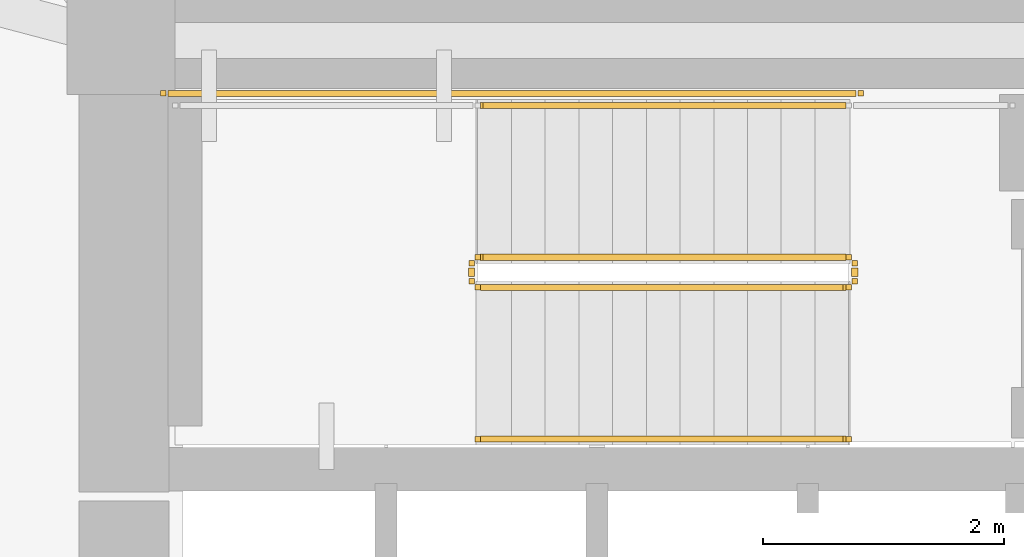
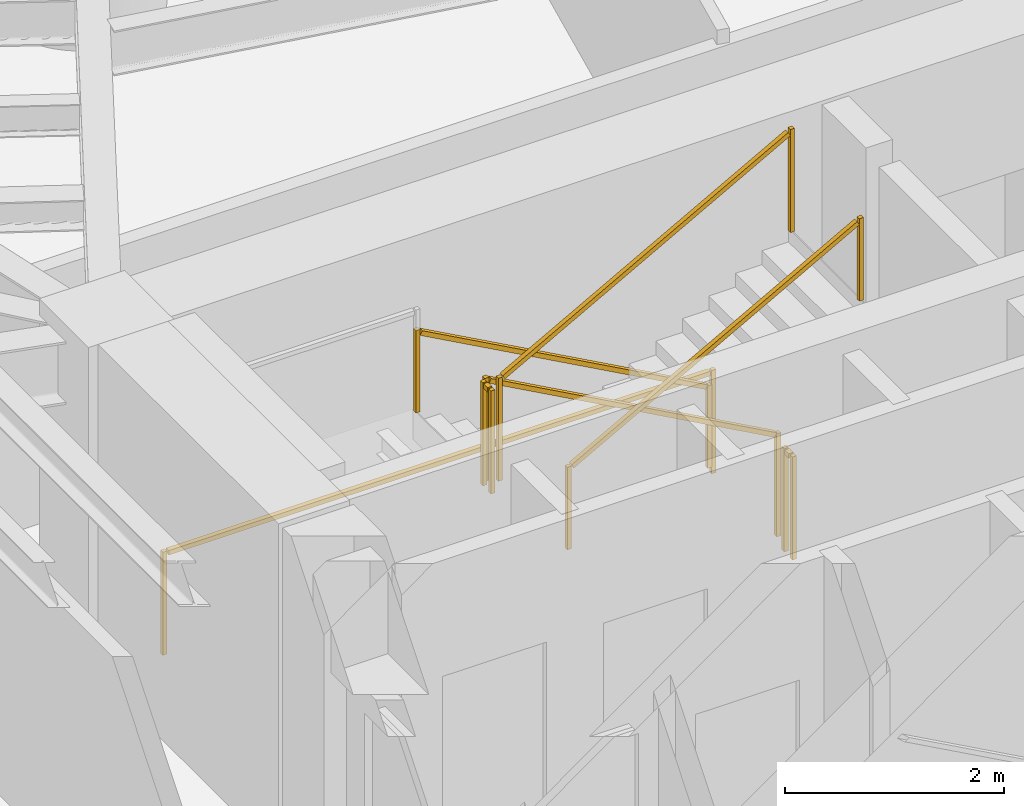
# One storey, part 12 of 13: 7 railings.
"""IFC4 building model written with IfcOpenShell, lengths in metres."""

from ifc_helpers import new_model, si_unit, direction, frame, origin, origin_2d, place, context, subcontext, project, spatial, rectangle, extrude, material, type_object, element, save


model = new_model("IFC4")

# Units and contexts
model_context = context("Model", 3, precision=1e-05, world=origin(), true_north=direction((0.0, 1.0)))
body_context = subcontext(model_context, "Body", "Model", "MODEL_VIEW")
ifc_project = project(units=[si_unit("LENGTHUNIT", "METRE"), si_unit("AREAUNIT", "SQUARE_METRE"), si_unit("VOLUMEUNIT", "CUBIC_METRE"), si_unit("PLANEANGLEUNIT", "RADIAN"), si_unit("MASSUNIT", "GRAM", prefix="KILO")], contexts=[model_context])

# Site, building, storey
site_placement = place(None, origin())
site = spatial("IfcSite", under=ifc_project, at=site_placement, CompositionType="ELEMENT")
building_placement = place(site_placement, origin())
building = spatial("IfcBuilding", under=site, at=building_placement, Name="Yunling Apex Tower", CompositionType="ELEMENT")
storey_placement = place(building_placement, frame((0.0, 0.0, 20.10009765625)))
storey = spatial("IfcBuildingStorey", under=building, at=storey_placement, Name="L06", CompositionType="ELEMENT", Elevation=20.10009765625)

# Railings
ifc_material_1 = material(Name="Steel Q355B", Category="steel")
railing_type_1 = type_object("IfcRailingType", Name="RL-GRD-1150", PredefinedType="GUARDRAIL", material=ifc_material_1)
railing_1_placement = place(storey_placement, frame((-0.010009765625, 3.699951171875, 0.154052734375)))
element("IfcRailing", 1, at=railing_1_placement, inside=storey, type_object=railing_type_1, Name="L06 ST-1 stair guard 1", PredefinedType="GUARDRAIL", context=body_context, shape_type="SweptSolid", body=[
    extrude(rectangle(XDim=0.0439453125, YDim=0.0439453125, at=origin_2d()), origin(), (0.0, 0.0, 1.0), 1.14990234375),
    extrude(rectangle(XDim=0.0439453125, YDim=0.0439453125, at=origin_2d()), frame((-3.080078125, 0.0, 1.69580078125)), (0.0, 0.0, 1.0), 1.14990234375),
    extrude(rectangle(XDim=0.050048828125, YDim=0.050048828125, at=origin_2d()), frame((-0.03369140625, 0.0, 1.143310546875), z_axis=(-0.876004717809, 0.0, 0.482302534076), x_axis=(0.0, -1.0, 0.0)), (0.0, 0.0, 1.0), 3.439453125),
])
railing_2_placement = place(storey_placement, frame((-3.139892578125, 3.64990234375, 1.849853515625)))
element("IfcRailing", 2, at=railing_2_placement, inside=storey, type_object=railing_type_1, Name="L06 ST-1 stair guard 2", PredefinedType="GUARDRAIL", context=body_context, shape_type="SweptSolid", body=[
    extrude(rectangle(XDim=0.0439453125, YDim=0.0439453125, at=origin_2d()), origin(), (0.0, 0.0, 1.0), 1.14990234375),
    extrude(rectangle(XDim=0.0439453125, YDim=0.0439453125, at=origin_2d()), frame((0.0, -0.14990234375, 0.0)), (0.0, 0.0, 1.0), 1.14990234375),
    extrude(rectangle(XDim=0.050048828125, YDim=0.050048828125, at=origin_2d()), frame((0.0, -0.038330078125, 1.125), z_axis=(0.0, -1.0, 0.0), x_axis=(1.0, 0.0, 0.0)), (0.0, 0.0, 1.0), 0.0732421875),
])
railing_3_placement = place(storey_placement, frame((-3.090087890625, 3.449951171875, 2.004150390625)))
element("IfcRailing", 3, at=railing_3_placement, inside=storey, type_object=railing_type_1, Name="L06 ST-1 stair guard 4", PredefinedType="GUARDRAIL", context=body_context, shape_type="SweptSolid", body=[
    extrude(rectangle(XDim=0.0439453125, YDim=0.0439453125, at=origin_2d()), origin(), (0.0, 0.0, 1.0), 1.14990234375),
    extrude(rectangle(XDim=0.0439453125, YDim=0.0439453125, at=origin_2d()), frame((3.080078125, 0.0, 1.69580078125)), (0.0, 0.0, 1.0), 1.14990234375),
    extrude(rectangle(XDim=0.050048828125, YDim=0.050048828125, at=origin_2d()), frame((0.03369140625, 0.0, 1.143310546875), z_axis=(0.876004717809, 0.0, 0.482302534076), x_axis=(0.0, 1.0, 0.0)), (0.0, 0.0, 1.0), 3.439453125),
])
railing_4_placement = place(storey_placement, frame((0.0400390625, 3.64990234375, 0.0)))
element("IfcRailing", 4, at=railing_4_placement, inside=storey, type_object=railing_type_1, Name="L06 ST-1 stair guard 5", PredefinedType="GUARDRAIL", context=body_context, shape_type="SweptSolid", body=[
    extrude(rectangle(XDim=0.0439453125, YDim=0.0439453125, at=origin_2d()), origin(), (0.0, 0.0, 1.0), 1.14990234375),
    extrude(rectangle(XDim=0.0439453125, YDim=0.0439453125, at=origin_2d()), frame((0.0, -0.14990234375, 0.0)), (0.0, 0.0, 1.0), 1.14990234375),
    extrude(rectangle(XDim=0.050048828125, YDim=0.050048828125, at=origin_2d()), frame((0.0, -0.038330078125, 1.125), z_axis=(0.0, -1.0, 0.0), x_axis=(1.0, 0.0, 0.0)), (0.0, 0.0, 1.0), 0.0732421875),
])
railing_5_placement = place(storey_placement, frame((0.090087890625, 5.06005859375, 0.0)))
element("IfcRailing", 5, at=railing_5_placement, inside=storey, type_object=railing_type_1, Name="L06 ST-1 stair guard 7", PredefinedType="GUARDRAIL", context=body_context, shape_type="SweptSolid", body=[
    extrude(rectangle(XDim=0.0439453125, YDim=0.0439453125, at=origin_2d()), origin(), (0.0, 0.0, 1.0), 1.14990234375),
    extrude(rectangle(XDim=0.0439453125, YDim=0.0439453125, at=origin_2d()), frame((-5.7900390625, 0.0, 0.0)), (0.0, 0.0, 1.0), 1.14990234375),
    extrude(rectangle(XDim=0.050048828125, YDim=0.050048828125, at=origin_2d()), frame((-0.038330078125, 0.0, 1.125), z_axis=(-1.0, 0.0, 0.0), x_axis=(0.0, -1.0, 0.0)), (0.0, 0.0, 1.0), 5.71337890625),
])
ifc_material_2 = material(Name="Silver anodised aluminium", Category="aluminium")
railing_type_2 = type_object("IfcRailingType", Name="RL-HND-900", PredefinedType="HANDRAIL", material=ifc_material_2)
railing_6_placement = place(storey_placement, frame((-0.010009765625, 4.9599609375, 0.154052734375)))
element("IfcRailing", 6, at=railing_6_placement, inside=storey, type_object=railing_type_2, Name="L06 ST-1 stair handrail 1", PredefinedType="HANDRAIL", context=body_context, shape_type="SweptSolid", body=[
    extrude(rectangle(XDim=0.0439453125, YDim=0.0439453125, at=origin_2d()), origin(), (0.0, 0.0, 1.0), 0.919921875),
    extrude(rectangle(XDim=0.0439453125, YDim=0.0439453125, at=origin_2d()), frame((-3.080078125, 0.0, 1.69580078125)), (0.0, 0.0, 1.0), 0.919921875),
    extrude(rectangle(XDim=0.050048828125, YDim=0.050048828125, at=origin_2d()), frame((-0.03369140625, 0.0, 0.913330078125), z_axis=(-0.876004717809, 0.0, 0.482302534076), x_axis=(0.0, -1.0, 0.0)), (0.0, 0.0, 1.0), 3.439453125),
])
railing_7_placement = place(storey_placement, frame((-3.090087890625, 2.18994140625, 2.004150390625)))
element("IfcRailing", 7, at=railing_7_placement, inside=storey, type_object=railing_type_2, Name="L06 ST-1 stair handrail 2", PredefinedType="HANDRAIL", context=body_context, shape_type="SweptSolid", body=[
    extrude(rectangle(XDim=0.0439453125, YDim=0.0439453125, at=origin_2d()), origin(), (0.0, 0.0, 1.0), 0.919921875),
    extrude(rectangle(XDim=0.0439453125, YDim=0.0439453125, at=origin_2d()), frame((3.080078125, 0.0, 1.69580078125)), (0.0, 0.0, 1.0), 0.919921875),
    extrude(rectangle(XDim=0.050048828125, YDim=0.050048828125, at=origin_2d()), frame((0.03369140625, 0.0, 0.913330078125), z_axis=(0.876004717809, 0.0, 0.482302534076), x_axis=(0.0, 1.0, 0.0)), (0.0, 0.0, 1.0), 3.439453125),
])

save(model, "model.ifc")
